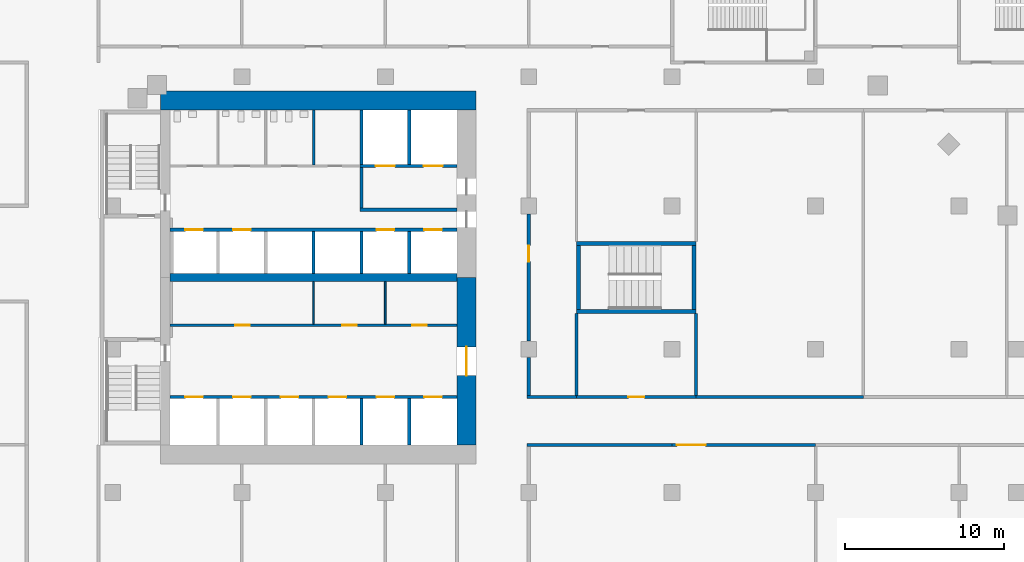
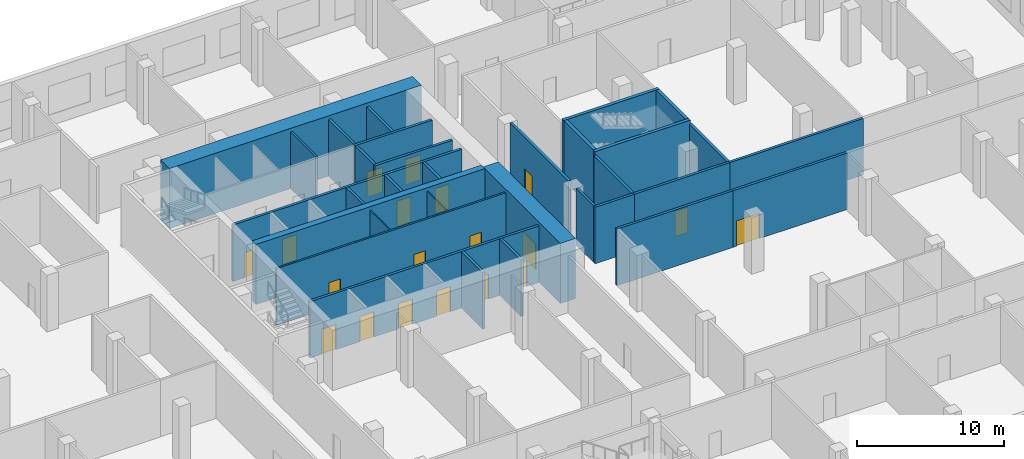
# One storey, part 13 of 23: 32 walls, 19 doors, 19 openings.
"""IFC4 building model written with IfcOpenShell, lengths in metres."""

from ifc_helpers import new_model, si_unit, direction, frame, frame_2d, origin, place, context, subcontext, project, spatial, rectangle, extrude, material, layer, layer_set, type_object, element, fill, save


model = new_model("IFC4")

# Units and contexts
model_context = context("Model", 3, precision=1e-05, world=origin(), true_north=direction((0.0, 1.0)))
body_context = subcontext(model_context, "Body", "Model", "MODEL_VIEW")
ifc_project = project(units=[si_unit("LENGTHUNIT", "METRE"), si_unit("AREAUNIT", "SQUARE_METRE"), si_unit("VOLUMEUNIT", "CUBIC_METRE"), si_unit("PLANEANGLEUNIT", "RADIAN"), si_unit("MASSUNIT", "GRAM", prefix="KILO")], contexts=[model_context])

# Site, building, storey
site_placement = place(None, origin())
site = spatial("IfcSite", under=ifc_project, at=site_placement, CompositionType="ELEMENT")
building_placement = place(site_placement, origin())
building = spatial("IfcBuilding", under=site, at=building_placement, Name="Cinnabar Reach Civic Tower", CompositionType="ELEMENT")
storey_placement = place(building_placement, frame((0.0, 0.0, 6.0)))
storey = spatial("IfcBuildingStorey", under=building, at=storey_placement, Name="L01", CompositionType="ELEMENT", Elevation=6.0)

# Wall
ifc_material_1 = material(Name="Concrete C70", Category="concrete")
ifc_layer_1 = layer(ifc_material_1, 1.2)
ifc_layer_set_1 = layer_set([ifc_layer_1], Name="Core wall 1200 EI 180")
wall_type_1 = type_object("IfcWallType", Name="Core wall 1200 EI 180", PredefinedType="SOLIDWALL", material=ifc_layer_set_1)
wall_1_placement = place(storey_placement, frame((23.7, 42.6, 0.0), z_axis=(0.0, 0.0, 1.0), x_axis=(-1.0, 0.0, 0.0)))
element("IfcWall", 1, at=wall_1_placement, inside=storey, type_object=wall_type_1, Name="Core wall T1 L01 N", PredefinedType="SOLIDWALL", context=body_context, shape_type="SweptSolid", body=[
    extrude(rectangle(XDim=19.8, YDim=1.2, at=frame_2d((9.9, 0.0))), origin(), (0.0, 0.0, 1.0), 5.0),
])

# Wall, opening, door
wall_2_placement = place(storey_placement, frame((23.1, 21.0, 0.0), z_axis=(0.0, 0.0, 1.0), x_axis=(0.0, 1.0, 0.0)))
wall_2 = element("IfcWall", 2, at=wall_2_placement, inside=storey, type_object=wall_type_1, Name="Core wall T1 L01 E", PredefinedType="SOLIDWALL", context=body_context, shape_type="SweptSolid", body=[
    extrude(rectangle(XDim=10.5, YDim=1.2, at=frame_2d((5.25, 0.0))), origin(), (0.0, 0.0, 1.0), 5.0),
])
opening_1_placement = place(wall_2_placement, frame((4.35, 0.0, 0.0)))
opening_1 = element("IfcOpeningElement", 3, at=opening_1_placement, cuts=wall_2, Name="Opening D3102", PredefinedType="OPENING", context=body_context, shape_type="SweptSolid", body=[
    extrude(rectangle(XDim=1.8, YDim=2.1, at=frame_2d((0.9, 1.05))), frame((0.0, 0.61, 0.0), z_axis=(0.0, -1.0, 0.0), x_axis=(1.0, 0.0, 0.0)), (0.0, 0.0, 1.0), 1.22),
])
ifc_material_2 = material(Name="Timber door leaf in steel frame", Category="steel")
door_type_1 = type_object("IfcDoorType", Name="Double swing door 1800 x 2100 T1", OperationType="DOUBLE_DOOR_DOUBLE_SWING", PredefinedType="DOOR", material=ifc_material_2)
door_1_placement = place(opening_1_placement, origin())
door_1 = element("IfcDoor", 4, at=door_1_placement, inside=storey, type_object=door_type_1, Name="Door D3102", OperationType="DOUBLE_DOOR_DOUBLE_SWING", OverallHeight=2.1, OverallWidth=1.8, PredefinedType="DOOR", context=body_context, shape_type="SweptSolid", body=[
    extrude(rectangle(XDim=1.8, YDim=2.1, at=frame_2d((0.9, 1.05))), frame((0.0, 0.025, 0.0), z_axis=(0.0, -1.0, 0.0), x_axis=(1.0, 0.0, 0.0)), (0.0, 0.0, 1.0), 0.05),
])
fill(opening_1, door_1)

# Wall
ifc_material_3 = material(Name="Concrete C60", Category="concrete")
ifc_layer_2 = layer(ifc_material_3, 0.5)
ifc_layer_set_2 = layer_set([ifc_layer_2], Name="Core wall 500 EI 180")
wall_type_2 = type_object("IfcWallType", Name="Core wall 500 EI 180", PredefinedType="SOLIDWALL", material=ifc_layer_set_2)
wall_3_placement = place(storey_placement, frame((4.5, 31.5, 0.0), z_axis=(0.0, 0.0, 1.0), x_axis=(1.0, 0.0, 0.0)))
element("IfcWall", 5, at=wall_3_placement, inside=storey, type_object=wall_type_2, Name="Core spine wall T1 L01", PredefinedType="SOLIDWALL", context=body_context, shape_type="SweptSolid", body=[
    extrude(rectangle(XDim=18.0, YDim=0.5, at=frame_2d((9.0, 0.0))), origin(), (0.0, 0.0, 1.0), 5.0),
])

# Wall, openings, doors
ifc_material_4 = material(Name="Gypsum board on steel studs, double layer", Category="steel")
ifc_layer_3 = layer(ifc_material_4, 0.15)
ifc_layer_set_3 = layer_set([ifc_layer_3], Name="Corridor wall 150 T1")
wall_type_3 = type_object("IfcWallType", Name="Corridor wall 150 T1", PredefinedType="PARTITIONING", material=ifc_layer_set_3)
wall_4_placement = place(storey_placement, frame((4.5, 28.5, 0.0), z_axis=(0.0, 0.0, 1.0), x_axis=(1.0, 0.0, 0.0)))
wall_4 = element("IfcWall", 6, at=wall_4_placement, inside=storey, type_object=wall_type_3, Name="Corridor wall 19", PredefinedType="PARTITIONING", context=body_context, shape_type="SweptSolid", body=[
    extrude(rectangle(XDim=18.0, YDim=0.15, at=frame_2d((9.0, 0.0))), origin(), (0.0, 0.0, 1.0), 4.7),
])
opening_2_placement = place(wall_4_placement, frame((4.1, 0.0, 0.0)))
opening_2 = element("IfcOpeningElement", 7, at=opening_2_placement, cuts=wall_4, Name="Opening D3105", PredefinedType="OPENING", context=body_context, shape_type="SweptSolid", body=[
    extrude(rectangle(XDim=0.9, YDim=2.1, at=frame_2d((0.45, 1.05))), frame((0.0, 0.085, 0.0), z_axis=(0.0, -1.0, 0.0), x_axis=(1.0, 0.0, 0.0)), (0.0, 0.0, 1.0), 0.17),
])
opening_3_placement = place(wall_4_placement, frame((10.8, 0.0, 0.0)))
opening_3 = element("IfcOpeningElement", 8, at=opening_3_placement, cuts=wall_4, Name="Opening D3106", PredefinedType="OPENING", context=body_context, shape_type="SweptSolid", body=[
    extrude(rectangle(XDim=0.9, YDim=2.1, at=frame_2d((0.45, 1.05))), frame((0.0, 0.085, 0.0), z_axis=(0.0, -1.0, 0.0), x_axis=(1.0, 0.0, 0.0)), (0.0, 0.0, 1.0), 0.17),
])
opening_4_placement = place(wall_4_placement, frame((15.2, 0.0, 0.0)))
opening_4 = element("IfcOpeningElement", 9, at=opening_4_placement, cuts=wall_4, Name="Opening D3107", PredefinedType="OPENING", context=body_context, shape_type="SweptSolid", body=[
    extrude(rectangle(XDim=0.9, YDim=2.1, at=frame_2d((0.45, 1.05))), frame((0.0, 0.085, 0.0), z_axis=(0.0, -1.0, 0.0), x_axis=(1.0, 0.0, 0.0)), (0.0, 0.0, 1.0), 0.17),
])
door_type_2 = type_object("IfcDoorType", Name="Single swing door 900 x 2100 corridor T1", OperationType="SINGLE_SWING_LEFT", PredefinedType="DOOR", material=ifc_material_2)
door_2_placement = place(opening_2_placement, origin())
door_2 = element("IfcDoor", 10, at=door_2_placement, inside=storey, type_object=door_type_2, Name="Door D3105", OperationType="SINGLE_SWING_RIGHT", OverallHeight=2.1, OverallWidth=0.9, PredefinedType="DOOR", context=body_context, shape_type="SweptSolid", body=[
    extrude(rectangle(XDim=0.9, YDim=2.1, at=frame_2d((0.45, 1.05))), frame((0.0, 0.025, 0.0), z_axis=(0.0, -1.0, 0.0), x_axis=(1.0, 0.0, 0.0)), (0.0, 0.0, 1.0), 0.05),
])
fill(opening_2, door_2)
door_3_placement = place(opening_3_placement, origin())
door_3 = element("IfcDoor", 11, at=door_3_placement, inside=storey, type_object=door_type_2, Name="Door D3106", OperationType="SINGLE_SWING_RIGHT", OverallHeight=2.1, OverallWidth=0.9, PredefinedType="DOOR", context=body_context, shape_type="SweptSolid", body=[
    extrude(rectangle(XDim=0.9, YDim=2.1, at=frame_2d((0.45, 1.05))), frame((0.0, 0.025, 0.0), z_axis=(0.0, -1.0, 0.0), x_axis=(1.0, 0.0, 0.0)), (0.0, 0.0, 1.0), 0.05),
])
fill(opening_3, door_3)
door_4_placement = place(opening_4_placement, origin())
door_4 = element("IfcDoor", 12, at=door_4_placement, inside=storey, type_object=door_type_2, Name="Door D3107", OperationType="SINGLE_SWING_RIGHT", OverallHeight=2.1, OverallWidth=0.9, PredefinedType="DOOR", context=body_context, shape_type="SweptSolid", body=[
    extrude(rectangle(XDim=0.9, YDim=2.1, at=frame_2d((0.45, 1.05))), frame((0.0, 0.025, 0.0), z_axis=(0.0, -1.0, 0.0), x_axis=(1.0, 0.0, 0.0)), (0.0, 0.0, 1.0), 0.05),
])
fill(opening_4, door_4)

ifc_material_5 = material(Name="Blockwork", Category="masonry")
ifc_layer_4 = layer(ifc_material_5, 0.2)
ifc_layer_set_4 = layer_set([ifc_layer_4], Name="Lift shaft wall 200 T1")
wall_type_4 = type_object("IfcWallType", Name="Lift shaft wall 200 T1", PredefinedType="PARTITIONING", material=ifc_layer_set_4)
wall_5_placement = place(storey_placement, frame((4.5, 24.0, 0.0), z_axis=(0.0, 0.0, 1.0), x_axis=(1.0, 0.0, 0.0)))
wall_5 = element("IfcWall", 13, at=wall_5_placement, inside=storey, type_object=wall_type_4, Name="Lift shaft wall 4", PredefinedType="PARTITIONING", context=body_context, shape_type="SweptSolid", body=[
    extrude(rectangle(XDim=18.0, YDim=0.2, at=frame_2d((9.0, 0.0))), origin(), (0.0, 0.0, 1.0), 4.7),
])
opening_5_placement = place(wall_5_placement, frame((0.95, 0.0, 0.0)))
opening_5 = element("IfcOpeningElement", 14, at=opening_5_placement, cuts=wall_5, Name="Opening D3090", PredefinedType="OPENING", context=body_context, shape_type="SweptSolid", body=[
    extrude(rectangle(XDim=1.1, YDim=2.1, at=frame_2d((0.55, 1.05))), frame((0.0, 0.11, 0.0), z_axis=(0.0, -1.0, 0.0), x_axis=(1.0, 0.0, 0.0)), (0.0, 0.0, 1.0), 0.22),
])
opening_6_placement = place(wall_5_placement, frame((3.95, 0.0, 0.0)))
opening_6 = element("IfcOpeningElement", 15, at=opening_6_placement, cuts=wall_5, Name="Opening D3091", PredefinedType="OPENING", context=body_context, shape_type="SweptSolid", body=[
    extrude(rectangle(XDim=1.1, YDim=2.1, at=frame_2d((0.55, 1.05))), frame((0.0, 0.11, 0.0), z_axis=(0.0, -1.0, 0.0), x_axis=(1.0, 0.0, 0.0)), (0.0, 0.0, 1.0), 0.22),
])
opening_7_placement = place(wall_5_placement, frame((6.95, 0.0, 0.0)))
opening_7 = element("IfcOpeningElement", 16, at=opening_7_placement, cuts=wall_5, Name="Opening D3092", PredefinedType="OPENING", context=body_context, shape_type="SweptSolid", body=[
    extrude(rectangle(XDim=1.1, YDim=2.1, at=frame_2d((0.55, 1.05))), frame((0.0, 0.11, 0.0), z_axis=(0.0, -1.0, 0.0), x_axis=(1.0, 0.0, 0.0)), (0.0, 0.0, 1.0), 0.22),
])
opening_8_placement = place(wall_5_placement, frame((9.95, 0.0, 0.0)))
opening_8 = element("IfcOpeningElement", 17, at=opening_8_placement, cuts=wall_5, Name="Opening D3093", PredefinedType="OPENING", context=body_context, shape_type="SweptSolid", body=[
    extrude(rectangle(XDim=1.1, YDim=2.1, at=frame_2d((0.55, 1.05))), frame((0.0, 0.11, 0.0), z_axis=(0.0, -1.0, 0.0), x_axis=(1.0, 0.0, 0.0)), (0.0, 0.0, 1.0), 0.22),
])
opening_9_placement = place(wall_5_placement, frame((12.95, 0.0, 0.0)))
opening_9 = element("IfcOpeningElement", 18, at=opening_9_placement, cuts=wall_5, Name="Opening D3094", PredefinedType="OPENING", context=body_context, shape_type="SweptSolid", body=[
    extrude(rectangle(XDim=1.1, YDim=2.1, at=frame_2d((0.55, 1.05))), frame((0.0, 0.11, 0.0), z_axis=(0.0, -1.0, 0.0), x_axis=(1.0, 0.0, 0.0)), (0.0, 0.0, 1.0), 0.22),
])
opening_10_placement = place(wall_5_placement, frame((15.95, 0.0, 0.0)))
opening_10 = element("IfcOpeningElement", 19, at=opening_10_placement, cuts=wall_5, Name="Opening D3095", PredefinedType="OPENING", context=body_context, shape_type="SweptSolid", body=[
    extrude(rectangle(XDim=1.1, YDim=2.1, at=frame_2d((0.55, 1.05))), frame((0.0, 0.11, 0.0), z_axis=(0.0, -1.0, 0.0), x_axis=(1.0, 0.0, 0.0)), (0.0, 0.0, 1.0), 0.22),
])
ifc_material_6 = material(Name="Stainless steel sliding door", Category="steel")
door_type_3 = type_object("IfcDoorType", Name="Lift landing door 1100 x 2100 T1", OperationType="SLIDING_TO_LEFT", PredefinedType="DOOR", material=ifc_material_6)
door_5_placement = place(opening_5_placement, origin())
door_5 = element("IfcDoor", 20, at=door_5_placement, inside=storey, type_object=door_type_3, Name="Lift landing door LR1 L01", OperationType="SLIDING_TO_LEFT", OverallHeight=2.1, OverallWidth=1.1, PredefinedType="DOOR", context=body_context, shape_type="SweptSolid", body=[
    extrude(rectangle(XDim=1.1, YDim=2.1, at=frame_2d((0.55, 1.05))), frame((0.0, 0.025, 0.0), z_axis=(0.0, -1.0, 0.0), x_axis=(1.0, 0.0, 0.0)), (0.0, 0.0, 1.0), 0.05),
])
fill(opening_5, door_5)
door_6_placement = place(opening_6_placement, origin())
door_6 = element("IfcDoor", 21, at=door_6_placement, inside=storey, type_object=door_type_3, Name="Lift landing door LR2 L01", OperationType="SLIDING_TO_LEFT", OverallHeight=2.1, OverallWidth=1.1, PredefinedType="DOOR", context=body_context, shape_type="SweptSolid", body=[
    extrude(rectangle(XDim=1.1, YDim=2.1, at=frame_2d((0.55, 1.05))), frame((0.0, 0.025, 0.0), z_axis=(0.0, -1.0, 0.0), x_axis=(1.0, 0.0, 0.0)), (0.0, 0.0, 1.0), 0.05),
])
fill(opening_6, door_6)
door_7_placement = place(opening_7_placement, origin())
door_7 = element("IfcDoor", 22, at=door_7_placement, inside=storey, type_object=door_type_3, Name="Lift landing door LR3 L01", OperationType="SLIDING_TO_LEFT", OverallHeight=2.1, OverallWidth=1.1, PredefinedType="DOOR", context=body_context, shape_type="SweptSolid", body=[
    extrude(rectangle(XDim=1.1, YDim=2.1, at=frame_2d((0.55, 1.05))), frame((0.0, 0.025, 0.0), z_axis=(0.0, -1.0, 0.0), x_axis=(1.0, 0.0, 0.0)), (0.0, 0.0, 1.0), 0.05),
])
fill(opening_7, door_7)
door_8_placement = place(opening_8_placement, origin())
door_8 = element("IfcDoor", 23, at=door_8_placement, inside=storey, type_object=door_type_3, Name="Lift landing door LR4 L01", OperationType="SLIDING_TO_LEFT", OverallHeight=2.1, OverallWidth=1.1, PredefinedType="DOOR", context=body_context, shape_type="SweptSolid", body=[
    extrude(rectangle(XDim=1.1, YDim=2.1, at=frame_2d((0.55, 1.05))), frame((0.0, 0.025, 0.0), z_axis=(0.0, -1.0, 0.0), x_axis=(1.0, 0.0, 0.0)), (0.0, 0.0, 1.0), 0.05),
])
fill(opening_8, door_8)
door_9_placement = place(opening_9_placement, origin())
door_9 = element("IfcDoor", 24, at=door_9_placement, inside=storey, type_object=door_type_3, Name="Lift landing door LR5 L01", OperationType="SLIDING_TO_LEFT", OverallHeight=2.1, OverallWidth=1.1, PredefinedType="DOOR", context=body_context, shape_type="SweptSolid", body=[
    extrude(rectangle(XDim=1.1, YDim=2.1, at=frame_2d((0.55, 1.05))), frame((0.0, 0.025, 0.0), z_axis=(0.0, -1.0, 0.0), x_axis=(1.0, 0.0, 0.0)), (0.0, 0.0, 1.0), 0.05),
])
fill(opening_9, door_9)
door_10_placement = place(opening_10_placement, origin())
door_10 = element("IfcDoor", 25, at=door_10_placement, inside=storey, type_object=door_type_3, Name="Lift landing door LR6 L01", OperationType="SLIDING_TO_LEFT", OverallHeight=2.1, OverallWidth=1.1, PredefinedType="DOOR", context=body_context, shape_type="SweptSolid", body=[
    extrude(rectangle(XDim=1.1, YDim=2.1, at=frame_2d((0.55, 1.05))), frame((0.0, 0.025, 0.0), z_axis=(0.0, -1.0, 0.0), x_axis=(1.0, 0.0, 0.0)), (0.0, 0.0, 1.0), 0.05),
])
fill(opening_10, door_10)

wall_6_placement = place(storey_placement, frame((4.5, 34.5, 0.0), z_axis=(0.0, 0.0, 1.0), x_axis=(1.0, 0.0, 0.0)))
wall_6 = element("IfcWall", 26, at=wall_6_placement, inside=storey, type_object=wall_type_4, Name="Lift shaft wall 5", PredefinedType="PARTITIONING", context=body_context, shape_type="SweptSolid", body=[
    extrude(rectangle(XDim=18.0, YDim=0.2, at=frame_2d((9.0, 0.0))), origin(), (0.0, 0.0, 1.0), 4.7),
])
opening_11_placement = place(wall_6_placement, frame((0.95, 0.0, 0.0)))
opening_11 = element("IfcOpeningElement", 27, at=opening_11_placement, cuts=wall_6, Name="Opening D3096", PredefinedType="OPENING", context=body_context, shape_type="SweptSolid", body=[
    extrude(rectangle(XDim=1.1, YDim=2.1, at=frame_2d((0.55, 1.05))), frame((0.0, 0.11, 0.0), z_axis=(0.0, -1.0, 0.0), x_axis=(1.0, 0.0, 0.0)), (0.0, 0.0, 1.0), 0.22),
])
opening_12_placement = place(wall_6_placement, frame((3.95, 0.0, 0.0)))
opening_12 = element("IfcOpeningElement", 28, at=opening_12_placement, cuts=wall_6, Name="Opening D3097", PredefinedType="OPENING", context=body_context, shape_type="SweptSolid", body=[
    extrude(rectangle(XDim=1.1, YDim=2.1, at=frame_2d((0.55, 1.05))), frame((0.0, 0.11, 0.0), z_axis=(0.0, -1.0, 0.0), x_axis=(1.0, 0.0, 0.0)), (0.0, 0.0, 1.0), 0.22),
])
opening_13_placement = place(wall_6_placement, frame((12.95, 0.0, 0.0)))
opening_13 = element("IfcOpeningElement", 29, at=opening_13_placement, cuts=wall_6, Name="Opening D3098", PredefinedType="OPENING", context=body_context, shape_type="SweptSolid", body=[
    extrude(rectangle(XDim=1.1, YDim=2.1, at=frame_2d((0.55, 1.05))), frame((0.0, 0.11, 0.0), z_axis=(0.0, -1.0, 0.0), x_axis=(1.0, 0.0, 0.0)), (0.0, 0.0, 1.0), 0.22),
])
opening_14_placement = place(wall_6_placement, frame((15.95, 0.0, 0.0)))
opening_14 = element("IfcOpeningElement", 30, at=opening_14_placement, cuts=wall_6, Name="Opening D3099", PredefinedType="OPENING", context=body_context, shape_type="SweptSolid", body=[
    extrude(rectangle(XDim=1.1, YDim=2.1, at=frame_2d((0.55, 1.05))), frame((0.0, 0.11, 0.0), z_axis=(0.0, -1.0, 0.0), x_axis=(1.0, 0.0, 0.0)), (0.0, 0.0, 1.0), 0.22),
])
door_11_placement = place(opening_11_placement, origin())
door_11 = element("IfcDoor", 31, at=door_11_placement, inside=storey, type_object=door_type_3, Name="Lift landing door SH1 L01", OperationType="SLIDING_TO_LEFT", OverallHeight=2.1, OverallWidth=1.1, PredefinedType="DOOR", context=body_context, shape_type="SweptSolid", body=[
    extrude(rectangle(XDim=1.1, YDim=2.1, at=frame_2d((0.55, 1.05))), frame((0.0, 0.025, 0.0), z_axis=(0.0, -1.0, 0.0), x_axis=(1.0, 0.0, 0.0)), (0.0, 0.0, 1.0), 0.05),
])
fill(opening_11, door_11)
door_12_placement = place(opening_12_placement, origin())
door_12 = element("IfcDoor", 32, at=door_12_placement, inside=storey, type_object=door_type_3, Name="Lift landing door SH2 L01", OperationType="SLIDING_TO_LEFT", OverallHeight=2.1, OverallWidth=1.1, PredefinedType="DOOR", context=body_context, shape_type="SweptSolid", body=[
    extrude(rectangle(XDim=1.1, YDim=2.1, at=frame_2d((0.55, 1.05))), frame((0.0, 0.025, 0.0), z_axis=(0.0, -1.0, 0.0), x_axis=(1.0, 0.0, 0.0)), (0.0, 0.0, 1.0), 0.05),
])
fill(opening_12, door_12)
door_13_placement = place(opening_13_placement, origin())
door_13 = element("IfcDoor", 33, at=door_13_placement, inside=storey, type_object=door_type_3, Name="Lift landing door SV1 L01", OperationType="SLIDING_TO_LEFT", OverallHeight=2.1, OverallWidth=1.1, PredefinedType="DOOR", context=body_context, shape_type="SweptSolid", body=[
    extrude(rectangle(XDim=1.1, YDim=2.1, at=frame_2d((0.55, 1.05))), frame((0.0, 0.025, 0.0), z_axis=(0.0, -1.0, 0.0), x_axis=(1.0, 0.0, 0.0)), (0.0, 0.0, 1.0), 0.05),
])
fill(opening_13, door_13)
door_14_placement = place(opening_14_placement, origin())
door_14 = element("IfcDoor", 34, at=door_14_placement, inside=storey, type_object=door_type_3, Name="Lift landing door SV2 L01", OperationType="SLIDING_TO_LEFT", OverallHeight=2.1, OverallWidth=1.1, PredefinedType="DOOR", context=body_context, shape_type="SweptSolid", body=[
    extrude(rectangle(XDim=1.1, YDim=2.1, at=frame_2d((0.55, 1.05))), frame((0.0, 0.025, 0.0), z_axis=(0.0, -1.0, 0.0), x_axis=(1.0, 0.0, 0.0)), (0.0, 0.0, 1.0), 0.05),
])
fill(opening_14, door_14)

# Walls
for number, where, z_axis, x_axis, name in (
    (35, (16.5, 38.6, 0.0), (0.0, 0.0, 1.0), (0.0, 1.0, 0.0), "Lift shaft wall 6"),
    (36, (19.5, 38.6, 0.0), (0.0, 0.0, 1.0), (0.0, 1.0, 0.0), "Lift shaft wall 7"),
):
    element("IfcWall", number, at=place(storey_placement, frame(where, z_axis=z_axis, x_axis=x_axis)), inside=storey, type_object=wall_type_4, Name=name, PredefinedType="PARTITIONING", context=body_context, shape_type="SweptSolid", body=[
        extrude(rectangle(XDim=3.4, YDim=0.2, at=frame_2d((1.7, 0.0))), origin(), (0.0, 0.0, 1.0), 4.7),
    ])
wall_7_placement = place(storey_placement, frame((13.5, 31.75, 0.0), z_axis=(0.0, 0.0, 1.0), x_axis=(0.0, 1.0, 0.0)))
element("IfcWall", 37, at=wall_7_placement, inside=storey, type_object=wall_type_4, Name="Lift shaft wall 14", PredefinedType="PARTITIONING", context=body_context, shape_type="SweptSolid", body=[
    extrude(rectangle(XDim=2.65, YDim=0.2, at=frame_2d((1.325, 0.0))), origin(), (0.0, 0.0, 1.0), 4.7),
])
wall_8_placement = place(storey_placement, frame((16.5, 21.0, 0.0), z_axis=(0.0, 0.0, 1.0), x_axis=(0.0, 1.0, 0.0)))
element("IfcWall", 38, at=wall_8_placement, inside=storey, type_object=wall_type_4, Name="Lift shaft wall 15", PredefinedType="PARTITIONING", context=body_context, shape_type="SweptSolid", body=[
    extrude(rectangle(XDim=2.9, YDim=0.2, at=frame_2d((1.45, 0.0))), origin(), (0.0, 0.0, 1.0), 4.7),
])
wall_9_placement = place(storey_placement, frame((16.5, 31.75, 0.0), z_axis=(0.0, 0.0, 1.0), x_axis=(0.0, 1.0, 0.0)))
element("IfcWall", 39, at=wall_9_placement, inside=storey, type_object=wall_type_4, Name="Lift shaft wall 16", PredefinedType="PARTITIONING", context=body_context, shape_type="SweptSolid", body=[
    extrude(rectangle(XDim=2.65, YDim=0.2, at=frame_2d((1.325, 0.0))), origin(), (0.0, 0.0, 1.0), 4.7),
])
wall_10_placement = place(storey_placement, frame((19.5, 21.0, 0.0), z_axis=(0.0, 0.0, 1.0), x_axis=(0.0, 1.0, 0.0)))
element("IfcWall", 40, at=wall_10_placement, inside=storey, type_object=wall_type_4, Name="Lift shaft wall 17", PredefinedType="PARTITIONING", context=body_context, shape_type="SweptSolid", body=[
    extrude(rectangle(XDim=2.9, YDim=0.2, at=frame_2d((1.45, 0.0))), origin(), (0.0, 0.0, 1.0), 4.7),
])
wall_11_placement = place(storey_placement, frame((19.5, 31.75, 0.0), z_axis=(0.0, 0.0, 1.0), x_axis=(0.0, 1.0, 0.0)))
element("IfcWall", 41, at=wall_11_placement, inside=storey, type_object=wall_type_4, Name="Lift shaft wall 18", PredefinedType="PARTITIONING", context=body_context, shape_type="SweptSolid", body=[
    extrude(rectangle(XDim=2.65, YDim=0.2, at=frame_2d((1.325, 0.0))), origin(), (0.0, 0.0, 1.0), 4.7),
])
ifc_material_7 = material(Name="Gypsum board on steel studs", Category="steel")
ifc_layer_5 = layer(ifc_material_7, 0.1)
ifc_layer_set_5 = layer_set([ifc_layer_5], Name="Partition wall 100 T1")
wall_type_5 = type_object("IfcWallType", Name="Partition wall 100 T1", PredefinedType="PARTITIONING", material=ifc_layer_set_5)
for number, where, z_axis, x_axis, name in (
    (42, (13.5, 28.575, 0.0), (0.0, 0.0, 1.0), (0.0, 1.0, 0.0), "Partition wall 27"),
    (43, (18.0, 28.575, 0.0), (0.0, 0.0, 1.0), (0.0, 1.0, 0.0), "Partition wall 28"),
):
    element("IfcWall", number, at=place(storey_placement, frame(where, z_axis=z_axis, x_axis=x_axis)), inside=storey, type_object=wall_type_5, Name=name, PredefinedType="PARTITIONING", context=body_context, shape_type="SweptSolid", body=[
        extrude(rectangle(XDim=2.675, YDim=0.1, at=frame_2d((1.3375, 0.0))), origin(), (0.0, 0.0, 1.0), 4.7),
    ])
ifc_material_8 = material(Name="Concrete blockwork", Category="masonry")
ifc_layer_6 = layer(ifc_material_8, 0.2)
ifc_layer_set_6 = layer_set([ifc_layer_6], Name="Podium masonry corridor wall 200 EI 120")
wall_type_6 = type_object("IfcWallType", Name="Podium masonry corridor wall 200 EI 120", PredefinedType="PARTITIONING", material=ifc_layer_set_6)
wall_12_placement = place(storey_placement, frame((27.0, 24.1, 0.0), z_axis=(0.0, 0.0, 1.0), x_axis=(0.0, 1.0, 0.0)))
element("IfcWall", 44, at=wall_12_placement, inside=storey, type_object=wall_type_6, Name="Wall L01 113", PredefinedType="PARTITIONING", context=body_context, shape_type="SweptSolid", body=[
    extrude(rectangle(XDim=2.38, YDim=0.2, at=frame_2d((1.19, 0.0))), origin(), (0.0, 0.0, 1.0), 4.7),
])

# Wall, opening, door
wall_13_placement = place(storey_placement, frame((27.0, 27.52, 0.0), z_axis=(0.0, 0.0, 1.0), x_axis=(0.0, 1.0, 0.0)))
wall_13 = element("IfcWall", 45, at=wall_13_placement, inside=storey, type_object=wall_type_6, Name="Wall L01 114", PredefinedType="PARTITIONING", context=body_context, shape_type="SweptSolid", body=[
    extrude(rectangle(XDim=7.96, YDim=0.2, at=frame_2d((3.98, 0.0))), origin(), (0.0, 0.0, 1.0), 4.7),
])
opening_15_placement = place(wall_13_placement, frame((4.98, 0.0, 0.0)))
opening_15 = element("IfcOpeningElement", 46, at=opening_15_placement, cuts=wall_13, Name="Opening D1078", PredefinedType="OPENING", context=body_context, shape_type="SweptSolid", body=[
    extrude(rectangle(XDim=1.0, YDim=2.1, at=frame_2d((0.5, 1.05))), frame((0.0, 0.11, 0.0), z_axis=(0.0, -1.0, 0.0), x_axis=(1.0, 0.0, 0.0)), (0.0, 0.0, 1.0), 0.22),
])
ifc_material_9 = material(Name="Painted steel door leaf", Category="steel")
door_type_4 = type_object("IfcDoorType", Name="Podium single door 1000x2100", OperationType="SINGLE_SWING_LEFT", PredefinedType="DOOR", material=ifc_material_9)
door_15_placement = place(opening_15_placement, frame((1.0, 0.0, 0.0), z_axis=(0.0, 0.0, 1.0), x_axis=(-1.0, 0.0, 0.0)))
door_15 = element("IfcDoor", 47, at=door_15_placement, inside=storey, type_object=door_type_4, Name="Door D1078", OperationType="SINGLE_SWING_RIGHT", OverallHeight=2.1, OverallWidth=1.0, PredefinedType="DOOR", context=body_context, shape_type="SweptSolid", body=[
    extrude(rectangle(XDim=1.0, YDim=2.1, at=frame_2d((0.5, 1.05))), frame((0.0, 0.025, 0.0), z_axis=(0.0, -1.0, 0.0), x_axis=(1.0, 0.0, 0.0)), (0.0, 0.0, 1.0), 0.05),
])
fill(opening_15, door_15)

wall_14_placement = place(storey_placement, frame((36.0, 21.0, 0.0), z_axis=(0.0, 0.0, 1.0), x_axis=(1.0, 0.0, 0.0)))
wall_14 = element("IfcWall", 48, at=wall_14_placement, inside=storey, type_object=wall_type_6, Name="Wall L01 116", PredefinedType="PARTITIONING", context=body_context, shape_type="SweptSolid", body=[
    extrude(rectangle(XDim=9.0, YDim=0.2, at=frame_2d((4.5, 0.0))), origin(), (0.0, 0.0, 1.0), 4.7),
])
opening_16_placement = place(wall_14_placement, frame((0.3, 0.0, 0.0)))
opening_16 = element("IfcOpeningElement", 49, at=opening_16_placement, cuts=wall_14, Name="Opening D1067", PredefinedType="OPENING", context=body_context, shape_type="SweptSolid", body=[
    extrude(rectangle(XDim=1.8, YDim=2.1, at=frame_2d((0.9, 1.05))), frame((0.0, 0.11, 0.0), z_axis=(0.0, -1.0, 0.0), x_axis=(1.0, 0.0, 0.0)), (0.0, 0.0, 1.0), 0.22),
])
door_type_5 = type_object("IfcDoorType", Name="Podium double door 1800x2100", OperationType="DOUBLE_DOOR_SINGLE_SWING", PredefinedType="DOOR", material=ifc_material_9)
door_16_placement = place(opening_16_placement, frame((1.8, 0.0, 0.0), z_axis=(0.0, 0.0, 1.0), x_axis=(-1.0, 0.0, 0.0)))
door_16 = element("IfcDoor", 50, at=door_16_placement, inside=storey, type_object=door_type_5, Name="Door D1067", OperationType="DOUBLE_DOOR_SINGLE_SWING", OverallHeight=2.1, OverallWidth=1.8, PredefinedType="DOOR", context=body_context, shape_type="SweptSolid", body=[
    extrude(rectangle(XDim=1.8, YDim=2.1, at=frame_2d((0.9, 1.05))), frame((0.0, 0.025, 0.0), z_axis=(0.0, -1.0, 0.0), x_axis=(1.0, 0.0, 0.0)), (0.0, 0.0, 1.0), 0.05),
])
fill(opening_16, door_16)

# Walls
wall_15_placement = place(storey_placement, frame((26.9, 21.0, 0.0), z_axis=(0.0, 0.0, 1.0), x_axis=(1.0, 0.0, 0.0)))
element("IfcWall", 51, at=wall_15_placement, inside=storey, type_object=wall_type_6, Name="Wall L01 117", PredefinedType="PARTITIONING", context=body_context, shape_type="SweptSolid", body=[
    extrude(rectangle(XDim=9.1, YDim=0.2, at=frame_2d((4.55, 0.0))), origin(), (0.0, 0.0, 1.0), 4.7),
])
wall_16_placement = place(storey_placement, frame((26.9, 24.0, 0.0), z_axis=(0.0, 0.0, 1.0), x_axis=(1.0, 0.0, 0.0)))
element("IfcWall", 52, at=wall_16_placement, inside=storey, type_object=wall_type_6, Name="Wall L01 120", PredefinedType="PARTITIONING", context=body_context, shape_type="SweptSolid", body=[
    extrude(rectangle(XDim=3.1, YDim=0.2, at=frame_2d((1.55, 0.0))), origin(), (0.0, 0.0, 1.0), 4.7),
])

# Wall, opening, door
wall_17_placement = place(storey_placement, frame((30.0, 24.0, 0.0), z_axis=(0.0, 0.0, 1.0), x_axis=(1.0, 0.0, 0.0)))
wall_17 = element("IfcWall", 53, at=wall_17_placement, inside=storey, type_object=wall_type_6, Name="Wall L01 121", PredefinedType="PARTITIONING", context=body_context, shape_type="SweptSolid", body=[
    extrude(rectangle(XDim=7.5, YDim=0.2, at=frame_2d((3.75, 0.0))), origin(), (0.0, 0.0, 1.0), 4.7),
])
opening_17_placement = place(wall_17_placement, frame((3.25, 0.0, 0.0)))
opening_17 = element("IfcOpeningElement", 54, at=opening_17_placement, cuts=wall_17, Name="Opening D1079", PredefinedType="OPENING", context=body_context, shape_type="SweptSolid", body=[
    extrude(rectangle(XDim=1.0, YDim=2.1, at=frame_2d((0.5, 1.05))), frame((0.0, 0.11, 0.0), z_axis=(0.0, -1.0, 0.0), x_axis=(1.0, 0.0, 0.0)), (0.0, 0.0, 1.0), 0.22),
])
door_17_placement = place(opening_17_placement, origin())
door_17 = element("IfcDoor", 55, at=door_17_placement, inside=storey, type_object=door_type_4, Name="Door D1079", OperationType="SINGLE_SWING_RIGHT", OverallHeight=2.1, OverallWidth=1.0, PredefinedType="DOOR", context=body_context, shape_type="SweptSolid", body=[
    extrude(rectangle(XDim=1.0, YDim=2.1, at=frame_2d((0.5, 1.05))), frame((0.0, 0.025, 0.0), z_axis=(0.0, -1.0, 0.0), x_axis=(1.0, 0.0, 0.0)), (0.0, 0.0, 1.0), 0.05),
])
fill(opening_17, door_17)

# Walls
wall_18_placement = place(storey_placement, frame((37.5, 24.0, 0.0), z_axis=(0.0, 0.0, 1.0), x_axis=(1.0, 0.0, 0.0)))
element("IfcWall", 56, at=wall_18_placement, inside=storey, type_object=wall_type_6, Name="Wall L01 122", PredefinedType="PARTITIONING", context=body_context, shape_type="SweptSolid", body=[
    extrude(rectangle(XDim=10.5, YDim=0.2, at=frame_2d((5.25, 0.0))), origin(), (0.0, 0.0, 1.0), 4.7),
])
for number, where, z_axis, x_axis, name in (
    (57, (30.0, 24.1, 0.0), (0.0, 0.0, 1.0), (0.0, 1.0, 0.0), "Wall L01 208"),
    (58, (37.5, 24.1, 0.0), (0.0, 0.0, 1.0), (0.0, 1.0, 0.0), "Wall L01 210"),
):
    element("IfcWall", number, at=place(storey_placement, frame(where, z_axis=z_axis, x_axis=x_axis)), inside=storey, type_object=wall_type_6, Name=name, PredefinedType="PARTITIONING", context=body_context, shape_type="SweptSolid", body=[
        extrude(rectangle(XDim=5.15, YDim=0.2, at=frame_2d((2.575, 0.0))), origin(), (0.0, 0.0, 1.0), 4.7),
    ])
ifc_material_10 = material(Name="Concrete C40", Category="concrete")
ifc_layer_7 = layer(ifc_material_10, 0.2)
ifc_layer_set_7 = layer_set([ifc_layer_7], Name="Refuge compartment wall 200 T1")
wall_type_7 = type_object("IfcWallType", Name="Refuge compartment wall 200 T1", PredefinedType="PARTITIONING", material=ifc_layer_set_7)
wall_19_placement = place(storey_placement, frame((16.4, 35.75, 0.0), z_axis=(0.0, 0.0, 1.0), x_axis=(1.0, 0.0, 0.0)))
element("IfcWall", 59, at=wall_19_placement, inside=storey, type_object=wall_type_7, Name="Refuge compartment wall 1", PredefinedType="PARTITIONING", context=body_context, shape_type="SweptSolid", body=[
    extrude(rectangle(XDim=6.1, YDim=0.2, at=frame_2d((3.05, 0.0))), origin(), (0.0, 0.0, 1.0), 4.7),
])

# Wall, openings, doors
wall_20_placement = place(storey_placement, frame((16.4, 38.5, 0.0), z_axis=(0.0, 0.0, 1.0), x_axis=(1.0, 0.0, 0.0)))
wall_20 = element("IfcWall", 60, at=wall_20_placement, inside=storey, type_object=wall_type_7, Name="Refuge compartment wall 2", PredefinedType="PARTITIONING", context=body_context, shape_type="SweptSolid", body=[
    extrude(rectangle(XDim=6.1, YDim=0.2, at=frame_2d((3.05, 0.0))), origin(), (0.0, 0.0, 1.0), 4.7),
])
opening_18_placement = place(wall_20_placement, frame((1.0, 0.0, 0.0)))
opening_18 = element("IfcOpeningElement", 61, at=opening_18_placement, cuts=wall_20, Name="Opening D3100", PredefinedType="OPENING", context=body_context, shape_type="SweptSolid", body=[
    extrude(rectangle(XDim=1.2, YDim=2.1, at=frame_2d((0.6, 1.05))), frame((0.0, 0.11, 0.0), z_axis=(0.0, -1.0, 0.0), x_axis=(1.0, 0.0, 0.0)), (0.0, 0.0, 1.0), 0.22),
])
opening_19_placement = place(wall_20_placement, frame((4.0, 0.0, 0.0)))
opening_19 = element("IfcOpeningElement", 62, at=opening_19_placement, cuts=wall_20, Name="Opening D3101", PredefinedType="OPENING", context=body_context, shape_type="SweptSolid", body=[
    extrude(rectangle(XDim=1.2, YDim=2.1, at=frame_2d((0.6, 1.05))), frame((0.0, 0.11, 0.0), z_axis=(0.0, -1.0, 0.0), x_axis=(1.0, 0.0, 0.0)), (0.0, 0.0, 1.0), 0.22),
])
door_type_6 = type_object("IfcDoorType", Name="Firefighting lift landing door 1200 x 2100 T1", OperationType="SLIDING_TO_LEFT", PredefinedType="DOOR", material=ifc_material_6)
door_18_placement = place(opening_18_placement, origin())
door_18 = element("IfcDoor", 63, at=door_18_placement, inside=storey, type_object=door_type_6, Name="Lift landing door FF1 L01", OperationType="SLIDING_TO_LEFT", OverallHeight=2.1, OverallWidth=1.2, PredefinedType="DOOR", context=body_context, shape_type="SweptSolid", body=[
    extrude(rectangle(XDim=1.2, YDim=2.1, at=frame_2d((0.6, 1.05))), frame((0.0, 0.025, 0.0), z_axis=(0.0, -1.0, 0.0), x_axis=(1.0, 0.0, 0.0)), (0.0, 0.0, 1.0), 0.05),
])
fill(opening_18, door_18)
door_19_placement = place(opening_19_placement, origin())
door_19 = element("IfcDoor", 64, at=door_19_placement, inside=storey, type_object=door_type_6, Name="Lift landing door FF2 L01", OperationType="SLIDING_TO_LEFT", OverallHeight=2.1, OverallWidth=1.2, PredefinedType="DOOR", context=body_context, shape_type="SweptSolid", body=[
    extrude(rectangle(XDim=1.2, YDim=2.1, at=frame_2d((0.6, 1.05))), frame((0.0, 0.025, 0.0), z_axis=(0.0, -1.0, 0.0), x_axis=(1.0, 0.0, 0.0)), (0.0, 0.0, 1.0), 0.05),
])
fill(opening_19, door_19)

# Walls
wall_21_placement = place(storey_placement, frame((16.5, 35.85, 0.0), z_axis=(0.0, 0.0, 1.0), x_axis=(0.0, 1.0, 0.0)))
element("IfcWall", 65, at=wall_21_placement, inside=storey, type_object=wall_type_7, Name="Refuge compartment wall 3", PredefinedType="PARTITIONING", context=body_context, shape_type="SweptSolid", body=[
    extrude(rectangle(XDim=2.55, YDim=0.2, at=frame_2d((1.275, 0.0))), origin(), (0.0, 0.0, 1.0), 4.7),
])
ifc_layer_8 = layer(ifc_material_5, 0.15)
ifc_layer_set_8 = layer_set([ifc_layer_8], Name="Riser wall 150 T1")
wall_type_8 = type_object("IfcWallType", Name="Riser wall 150 T1", PredefinedType="PARTITIONING", material=ifc_layer_set_8)
wall_22_placement = place(storey_placement, frame((13.5, 38.575, 0.0), z_axis=(0.0, 0.0, 1.0), x_axis=(0.0, 1.0, 0.0)))
element("IfcWall", 66, at=wall_22_placement, inside=storey, type_object=wall_type_8, Name="Riser wall 24", PredefinedType="PARTITIONING", context=body_context, shape_type="SweptSolid", body=[
    extrude(rectangle(XDim=3.425, YDim=0.15, at=frame_2d((1.7125, 0.0))), origin(), (0.0, 0.0, 1.0), 4.7),
])
ifc_layer_9 = layer(ifc_material_3, 0.25)
ifc_layer_set_9 = layer_set([ifc_layer_9], Name="Stair shaft wall 250 EI 120")
wall_type_9 = type_object("IfcWallType", Name="Stair shaft wall 250 EI 120", PredefinedType="SOLIDWALL", material=ifc_layer_set_9)
for number, where, z_axis, x_axis, name in (
    (67, (30.0, 29.375, 0.0), (0.0, 0.0, 1.0), (1.0, 0.0, 0.0), "Stair shaft wall T1-S3 L01"),
    (68, (37.5, 33.625, 0.0), (0.0, 0.0, 1.0), (-1.0, 0.0, 0.0), "Stair shaft wall T1-S3 L01"),
):
    element("IfcWall", number, at=place(storey_placement, frame(where, z_axis=z_axis, x_axis=x_axis)), inside=storey, type_object=wall_type_9, Name=name, PredefinedType="SOLIDWALL", context=body_context, shape_type="SweptSolid", body=[
        extrude(rectangle(XDim=7.5, YDim=0.25, at=frame_2d((3.75, 0.0))), origin(), (0.0, 0.0, 1.0), 5.0),
    ])
for number, where, z_axis, x_axis, name in (
    (69, (37.375, 29.5, 0.0), (0.0, 0.0, 1.0), (0.0, 1.0, 0.0), "Stair shaft wall T1-S3 L01"),
    (70, (30.125, 33.5, 0.0), (0.0, 0.0, 1.0), (0.0, -1.0, 0.0), "Stair shaft wall T1-S3 L01"),
):
    element("IfcWall", number, at=place(storey_placement, frame(where, z_axis=z_axis, x_axis=x_axis)), inside=storey, type_object=wall_type_9, Name=name, PredefinedType="SOLIDWALL", context=body_context, shape_type="SweptSolid", body=[
        extrude(rectangle(XDim=4.0, YDim=0.25, at=frame_2d((2.0, 0.0))), origin(), (0.0, 0.0, 1.0), 5.0),
    ])

save(model, "model.ifc")
